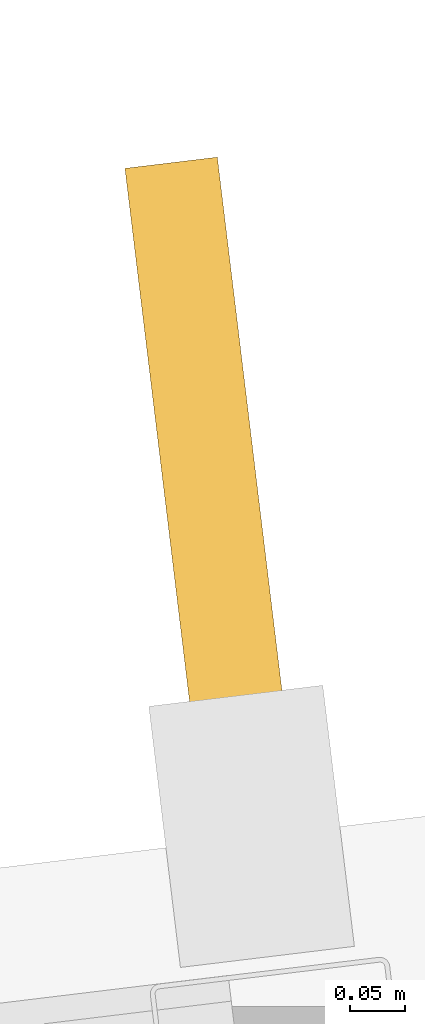
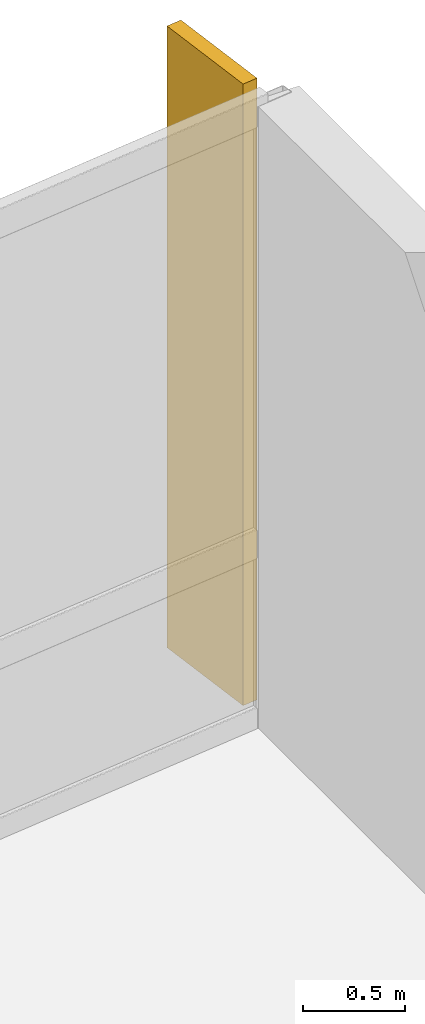
# One storey, part 18 of 18: 1 shading device.
"""IFC4 building model written with IfcOpenShell, lengths in metres."""

from ifc_helpers import new_model, si_unit, direction, frame, origin, origin_2d, place, context, subcontext, project, spatial, rectangle, extrude, material, layer, layer_set, type_object, element, save


model = new_model("IFC4")

# Units and contexts
model_context = context("Model", 3, precision=1e-05, world=origin(), true_north=direction((0.0, 1.0)))
body_context = subcontext(model_context, "Body", "Model", "MODEL_VIEW")
ifc_project = project(units=[si_unit("LENGTHUNIT", "METRE"), si_unit("AREAUNIT", "SQUARE_METRE"), si_unit("VOLUMEUNIT", "CUBIC_METRE"), si_unit("PLANEANGLEUNIT", "RADIAN"), si_unit("MASSUNIT", "GRAM", prefix="KILO")], contexts=[model_context])

# Site, building, storey
site_placement = place(None, origin())
site = spatial("IfcSite", under=ifc_project, at=site_placement, CompositionType="ELEMENT")
building_placement = place(site_placement, origin())
building = spatial("IfcBuilding", under=site, at=building_placement, Name="Varnakote Quay Hospital", CompositionType="ELEMENT")
storey_placement = place(building_placement, frame((0.0, 0.0, 119.14990234375)))
storey = spatial("IfcBuildingStorey", under=building, at=storey_placement, Name="L29", CompositionType="ELEMENT", Elevation=119.14990234375)

# Shading device
ifc_material = material(Name="Anodised aluminium 6063-T6 Bronze", Category="aluminium")
ifc_layer = layer(ifc_material, 0.0849609375)
ifc_layer_set = layer_set([ifc_layer], Name="Anodised aluminium 6063-T6 Bronze")
shading_device_type = type_object("IfcShadingDeviceType", Name="SHD-BRONZE-FIN-620", PredefinedType="USERDEFINED", material=ifc_layer_set)
shading_device_placement = place(storey_placement, frame((53.9462890625, 33.381591796875, 0.0), z_axis=(0.0, 0.0, 1.0), x_axis=(0.120310105847, -0.992736358975, 0.0)))
element("IfcShadingDevice", 1, at=shading_device_placement, inside=storey, type_object=shading_device_type, Name="L29 Anodised Bronze Vertical Shading FIN", ObjectType="FIN", PredefinedType="USERDEFINED", context=body_context, shape_type="SweptSolid", body=[
    extrude(rectangle(XDim=0.6201171875, YDim=0.0849609375, at=origin_2d()), origin(), (0.0, 0.0, 1.0), 3.7099609375),
])

save(model, "model.ifc")
